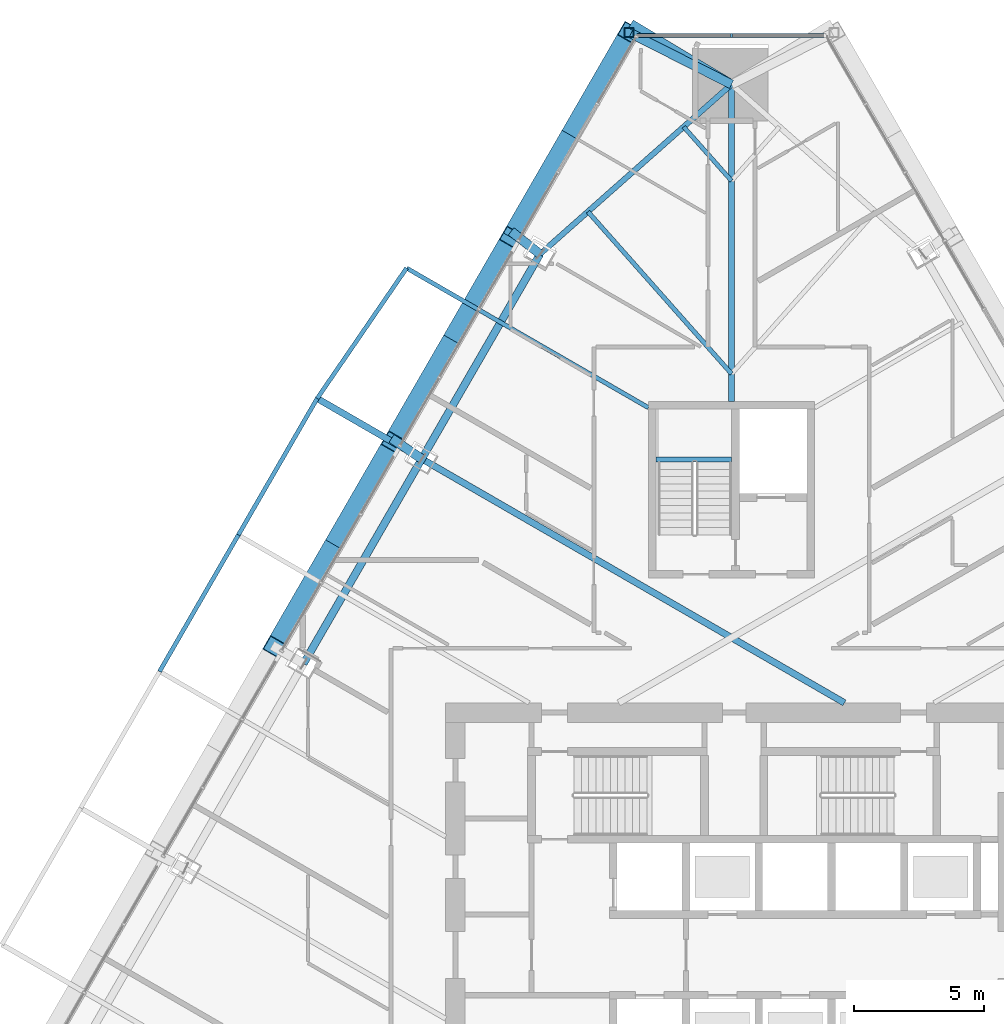
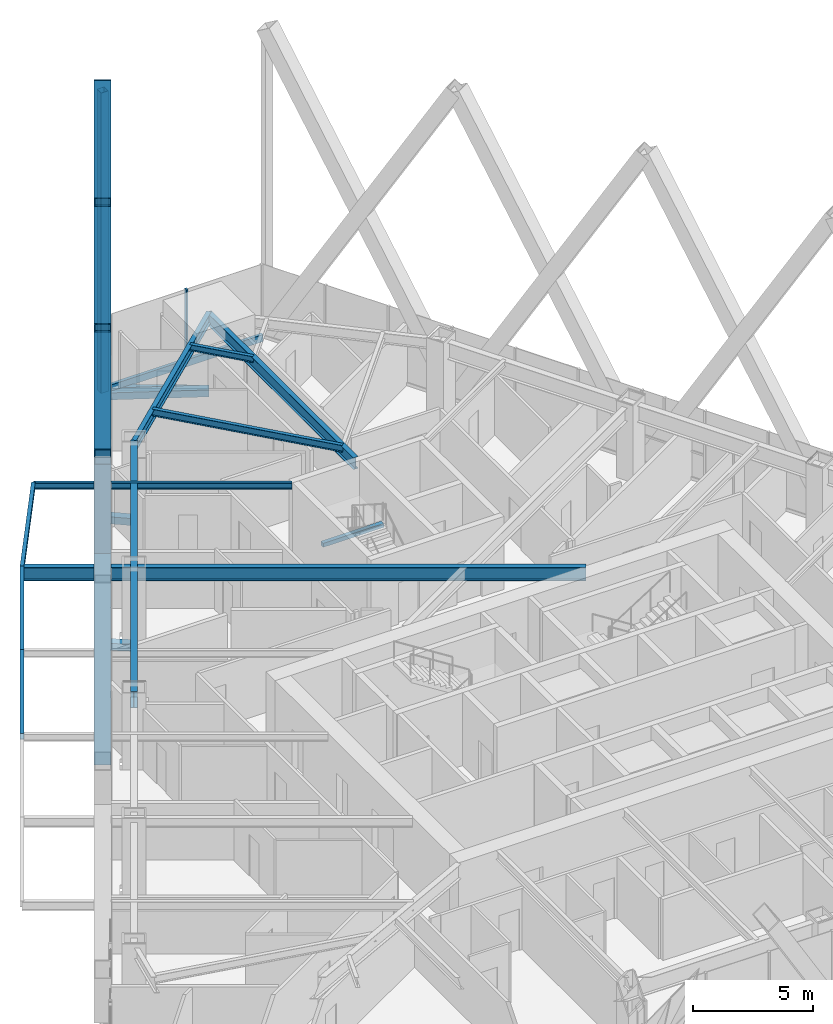
# One storey, part 11 of 26: 13 members, 11 beams, 1 element without a shape of its own.
"""IFC4 building model written with IfcOpenShell, lengths in metres."""

from ifc_helpers import new_model, si_unit, direction, frame, origin, origin_2d, place, context, subcontext, project, spatial, rectangle, hollow_rectangle, i_section, extrude, material, layer, layer_set, material_profile, profile_set, type_object, element, aggregate, save


model = new_model("IFC4")

# Units and contexts
model_context = context("Model", 3, precision=1e-05, world=origin(), true_north=direction((0.0, 1.0)))
body_context = subcontext(model_context, "Body", "Model", "MODEL_VIEW")
ifc_project = project(units=[si_unit("LENGTHUNIT", "METRE"), si_unit("AREAUNIT", "SQUARE_METRE"), si_unit("VOLUMEUNIT", "CUBIC_METRE"), si_unit("PLANEANGLEUNIT", "RADIAN"), si_unit("MASSUNIT", "GRAM", prefix="KILO")], contexts=[model_context])

# Site, building, storey
site_placement = place(None, origin())
site = spatial("IfcSite", under=ifc_project, at=site_placement, CompositionType="ELEMENT")
building_placement = place(site_placement, origin())
building = spatial("IfcBuilding", under=site, at=building_placement, Name="Firuza Gate Tower and Library", CompositionType="ELEMENT")
storey_placement = place(building_placement, frame((0.0, 0.0, 155.800048828125)))
storey = spatial("IfcBuildingStorey", under=building, at=storey_placement, Name="L35", CompositionType="ELEMENT", Elevation=155.800048828125)

# Members
ifc_material_1 = material(Name="Steel S355", Category="steel")
ifc_material_profile_1 = material_profile(ifc_material_1, hollow_rectangle(XDim=0.699951171875, YDim=0.699951171875, WallThickness=0.030029296875, at=origin_2d()))
ifc_profile_set_1 = profile_set([ifc_material_profile_1], Name="Steel S355")
member_type_1 = type_object("IfcMemberType", Name="BU700x700x30 Lattice brace", PredefinedType="BRACE", material=ifc_profile_set_1)
for number, where, z_axis, x_axis, name in (
    (1, (71.0537109375, 108.8017578125, 0.0), (-0.251939638216, -0.436369132457, 0.863775664704), (0.866023855101, -0.500002682389, 0.0), "Lattice brace W 8.1R"),
    (2, (66.503662109375, 100.9208984375, 0.0), (0.251939638216, 0.436369132457, 0.863775664704), (-0.866023855101, 0.500002682389, 0.0), "Lattice brace W 8.1L"),
    (3, (66.503662109375, 100.9208984375, 0.0), (-0.251939638216, -0.436369132457, 0.863775664704), (0.866023855101, -0.500002682389, 0.0), "Lattice brace W 8.2R"),
    (4, (61.95361328125, 93.0400390625, 0.0), (0.251939638216, 0.436369132457, 0.863775664704), (-0.866023855101, 0.500002682389, 0.0), "Lattice brace W 8.2L"),
    (5, (61.95361328125, 93.0400390625, 0.0), (-0.251939638216, -0.436369132457, 0.863775664704), (0.866023855101, -0.500002682389, 0.0), "Lattice brace W 8.3R"),
    (6, (57.403564453125, 85.1591796875, 0.0), (0.251939638216, 0.436369132457, 0.863775664704), (-0.866023855101, 0.500002682389, 0.0), "Lattice brace W 8.3L"),
):
    element("IfcMember", number, at=place(storey_placement, frame(where, z_axis=z_axis, x_axis=x_axis)), inside=storey, type_object=member_type_1, Name=name, PredefinedType="BRACE", context=body_context, shape_type="SweptSolid", body=[
        extrude(hollow_rectangle(XDim=0.699951171875, YDim=0.699951171875, WallThickness=0.030029296875, at=origin_2d()), origin(), (0.0, 0.0, 1.0), 18.06005859375),
    ])

# Curtain wall, members
ifc_material_2 = material(Name="Aluminium 6063-T6", Category="aluminium")
ifc_layer = layer(ifc_material_2, 0.14990234375)
ifc_layer_set = layer_set([ifc_layer], Name="Corner curtain wall, chamfers")
curtain_wall_type = type_object("IfcCurtainWallType", Name="Corner curtain wall, chamfers", PredefinedType="NOTDEFINED", material=ifc_layer_set)
curtain_wall_placement = place(storey_placement, origin())
curtain_wall = element("IfcCurtainWall", 7, at=curtain_wall_placement, inside=storey, type_object=curtain_wall_type, Name="CW4 L35 N corner", PredefinedType="NOTDEFINED")
ifc_material_3 = material(Name="Aluminium 6063-T6", Category="aluminium")
ifc_material_profile_2 = material_profile(ifc_material_3, rectangle(XDim=0.14990234375, YDim=0.080078125, at=origin_2d()))
ifc_profile_set_2 = profile_set([ifc_material_profile_2], Name="Aluminium 6063-T6")
member_type_2 = type_object("IfcMemberType", Name="Curtain wall mullion 80x150", PredefinedType="MULLION", material=ifc_profile_set_2)
member_1_placement = place(storey_placement, frame((75.0, 108.6767578125, 0.14990234375), z_axis=(0.0, 0.0, 1.0), x_axis=(0.0, -1.0, 0.0)))
member_1 = element("IfcMember", 8, at=member_1_placement, type_object=member_type_2, Name="Mullion", PredefinedType="MULLION", context=body_context, shape_type="SweptSolid", body=[
    extrude(rectangle(XDim=0.14990234375, YDim=0.080078125, at=origin_2d()), origin(), (0.0, 0.0, 1.0), 3.550048828125),
])
ifc_material_4 = material(Name="Aluminium 6063-T6", Category="aluminium")
ifc_material_profile_3 = material_profile(ifc_material_4, rectangle(XDim=0.14990234375, YDim=0.35009765625, at=origin_2d()))
ifc_profile_set_3 = profile_set([ifc_material_profile_3], Name="Aluminium 6063-T6")
member_type_3 = type_object("IfcMemberType", Name="Curtain wall transom 350x150", PredefinedType="USERDEFINED", material=ifc_profile_set_3)
member_2_placement = place(storey_placement, frame((78.643310546875, 108.6767578125, -0.025146484375), z_axis=(-1.0, 0.0, 0.0), x_axis=(0.0, -1.0, 0.0)))
member_2 = element("IfcMember", 9, at=member_2_placement, type_object=member_type_3, Name="Transom", ObjectType="TRANSOM", PredefinedType="USERDEFINED", context=body_context, shape_type="SweptSolid", body=[
    extrude(rectangle(XDim=0.14990234375, YDim=0.35009765625, at=origin_2d()), origin(), (0.0, 0.0, 1.0), 7.28662109375),
])
aggregate(curtain_wall, [member_1, member_2])

# Members
ifc_material_5 = material(Name="Steel S355", Category="steel")
ifc_material_profile_4 = material_profile(ifc_material_5, hollow_rectangle(XDim=0.355712890625, YDim=0.355712890625, WallThickness=0.014892578125, at=origin_2d()))
ifc_profile_set_4 = profile_set([ifc_material_profile_4], Name="Steel S355")
member_type_4 = type_object("IfcMemberType", Name="HSS356x356x16 Lattice corner stile", PredefinedType="BRACE", material=ifc_profile_set_4)
member_3_placement = place(storey_placement, frame((71.0537109375, 108.8017578125, -0.14013671875), z_axis=(0.0, 0.0, 1.0), x_axis=(1.0, 0.0, 0.0)))
element("IfcMember", 10, at=member_3_placement, inside=storey, type_object=member_type_4, Name="Lattice corner stile W 8.A", PredefinedType="BRACE", context=body_context, shape_type="SweptSolid", body=[
    extrude(hollow_rectangle(XDim=0.355712890625, YDim=0.355712890625, WallThickness=0.014892578125, at=origin_2d()), origin(), (0.0, 0.0, 1.0), 15.239990234375),
])
ifc_material_6 = material(Name="Steel S355", Category="steel")
ifc_material_profile_5 = material_profile(ifc_material_6, hollow_rectangle(XDim=0.355712890625, YDim=0.355712890625, WallThickness=0.014892578125, at=origin_2d()))
ifc_profile_set_5 = profile_set([ifc_material_profile_5], Name="Steel S355")
member_type_5 = type_object("IfcMemberType", Name="HSS356x356x16 Lattice node tie", PredefinedType="BRACE", material=ifc_profile_set_5)
member_4_placement = place(storey_placement, frame((63.079345703125, 92.39013671875, -0.340087890625), z_axis=(-0.827960374551, 0.560786606628, 0.0), x_axis=(-0.560786606628, -0.827960374551, 0.0)))
element("IfcMember", 11, at=member_4_placement, inside=storey, type_object=member_type_5, Name="Lattice node tie W L35 171", PredefinedType="BRACE", context=body_context, shape_type="SweptSolid", body=[
    extrude(hollow_rectangle(XDim=0.355712890625, YDim=0.355712890625, WallThickness=0.014892578125, at=origin_2d()), origin(), (0.0, 0.0, 1.0), 1.403564453125),
])
member_5_placement = place(storey_placement, frame((67.62939453125, 100.27099609375, -0.340087890625), z_axis=(-0.786042867151, 0.61817199144, 0.0), x_axis=(-0.61817199144, -0.786042867151, 0.0)))
element("IfcMember", 12, at=member_5_placement, inside=storey, type_object=member_type_5, Name="Lattice node tie W L35 172", PredefinedType="BRACE", context=body_context, shape_type="SweptSolid", body=[
    extrude(hollow_rectangle(XDim=0.355712890625, YDim=0.355712890625, WallThickness=0.014892578125, at=origin_2d()), origin(), (0.0, 0.0, 1.0), 1.4150390625),
])
member_6_placement = place(storey_placement, frame((75.0, 106.8017578125, -0.340087890625), z_axis=(-0.85731646751, 0.51478973818, 0.0), x_axis=(-0.51478973818, -0.85731646751, 0.0)))
element("IfcMember", 13, at=member_6_placement, inside=storey, type_object=member_type_5, Name="Lattice node tie W L35 173", PredefinedType="BRACE", context=body_context, shape_type="SweptSolid", body=[
    extrude(hollow_rectangle(XDim=0.355712890625, YDim=0.355712890625, WallThickness=0.014892578125, at=origin_2d()), origin(), (0.0, 0.0, 1.0), 4.518310546875),
])
member_7_placement = place(storey_placement, frame((75.0, 106.8017578125, -0.340087890625), z_axis=(-0.891983447411, 0.452068058531, 0.0), x_axis=(-0.452068058531, -0.891983447411, 0.0)))
element("IfcMember", 14, at=member_7_placement, inside=storey, type_object=member_type_5, Name="Lattice node tie W L35 174", PredefinedType="BRACE", context=body_context, shape_type="SweptSolid", body=[
    extrude(hollow_rectangle(XDim=0.355712890625, YDim=0.355712890625, WallThickness=0.014892578125, at=origin_2d()), origin(), (0.0, 0.0, 1.0), 4.33935546875),
])

# Beams
ifc_material_7 = material(Name="Concrete C35/45", Category="concrete")
ifc_material_profile_6 = material_profile(ifc_material_7, rectangle(XDim=0.199951171875, YDim=0.199951171875, at=origin_2d()))
ifc_profile_set_6 = profile_set([ifc_material_profile_6], Name="Concrete C35/45")
beam_type_1 = type_object("IfcBeamType", Name="Stair landing bearer 200x200", PredefinedType="BEAM", material=ifc_profile_set_6)
beam_1_placement = place(storey_placement, frame((75.0, 92.3701171875, 1.64990234375), z_axis=(-1.0, 0.0, 0.0), x_axis=(0.0, -1.0, 0.0)))
element("IfcBeam", 15, at=beam_1_placement, inside=storey, type_object=beam_type_1, Name="Landing bearer L35 stair 3", PredefinedType="BEAM", context=body_context, shape_type="SweptSolid", body=[
    extrude(rectangle(XDim=0.199951171875, YDim=0.199951171875, at=origin_2d()), origin(), (0.0, 0.0, 1.0), 2.89990234375),
])
ifc_material_8 = material(Name="Steel S355", Category="steel")
ifc_material_profile_7 = material_profile(ifc_material_8, i_section(OverallWidth=0.1650390625, OverallDepth=0.31005859375, WebThickness=0.005859375, FlangeThickness=0.009765625, at=origin_2d()))
ifc_profile_set_7 = profile_set([ifc_material_profile_7], Name="Steel S355")
beam_type_2 = type_object("IfcBeamType", Name="W310x39 Floor beam", PredefinedType="JOIST", material=ifc_profile_set_7)
beam_2_placement = place(storey_placement, frame((73.157470703125, 105.169189453125, 3.544921875), z_axis=(0.663157635911, -0.748479759201, 0.0), x_axis=(0.748479759201, 0.663157635911, 0.0)))
element("IfcBeam", 16, at=beam_2_placement, inside=storey, type_object=beam_type_2, Name="Floor beam L35 s70", PredefinedType="JOIST", context=body_context, shape_type="SweptSolid", body=[
    extrude(i_section(OverallWidth=0.1650390625, OverallDepth=0.31005859375, WebThickness=0.005859375, FlangeThickness=0.009765625, at=origin_2d()), origin(), (0.0, 0.0, 1.0), 2.7783203125),
])
beam_3_placement = place(storey_placement, frame((62.494384765625, 99.73291015625, 3.544921875), z_axis=(0.866038024971, -0.499978138826, 0.0), x_axis=(0.499978138826, 0.866038024971, 0.0)))
element("IfcBeam", 17, at=beam_3_placement, inside=storey, type_object=beam_type_2, Name="Floor beam L35 s80", PredefinedType="JOIST", context=body_context, shape_type="SweptSolid", body=[
    extrude(i_section(OverallWidth=0.1650390625, OverallDepth=0.31005859375, WebThickness=0.005859375, FlangeThickness=0.009765625, at=origin_2d()), origin(), (0.0, 0.0, 1.0), 10.7451171875),
])
beam_4_placement = place(storey_placement, frame((62.494384765625, 99.73291015625, 3.544921875), z_axis=(-0.565651547025, -0.824644364165, 0.0), x_axis=(0.824644364165, -0.565651547025, 0.0)))
element("IfcBeam", 18, at=beam_4_placement, inside=storey, type_object=beam_type_2, Name="Tray edge beam L35 s80-s81", PredefinedType="JOIST", context=body_context, shape_type="SweptSolid", body=[
    extrude(i_section(OverallWidth=0.1650390625, OverallDepth=0.31005859375, WebThickness=0.005859375, FlangeThickness=0.009765625, at=origin_2d()), origin(), (0.0, 0.0, 1.0), 6.084716796875),
])
for number, where, z_axis, x_axis, name in (
    (19, (59.052490234375, 94.715087890625, 3.544921875), (-0.500012742938, -0.866018046521, 0.0), (0.866018046521, -0.500012742938, 0.0), "Tray edge beam L35 s81-s82"),
    (20, (56.01904296875, 89.461181640625, 3.544921875), (-0.499982560684, -0.866035472144, 0.0), (0.866035472144, -0.499982560684, 0.0), "Tray edge beam L35 s82-s83"),
):
    element("IfcBeam", number, at=place(storey_placement, frame(where, z_axis=z_axis, x_axis=x_axis)), inside=storey, type_object=beam_type_2, Name=name, PredefinedType="JOIST", context=body_context, shape_type="SweptSolid", body=[
        extrude(i_section(OverallWidth=0.1650390625, OverallDepth=0.31005859375, WebThickness=0.005859375, FlangeThickness=0.009765625, at=origin_2d()), origin(), (0.0, 0.0, 1.0), 6.066650390625),
    ])
ifc_material_9 = material(Name="Steel S355", Category="steel")
ifc_material_profile_8 = material_profile(ifc_material_9, i_section(OverallWidth=0.1708984375, OverallDepth=0.35498046875, WebThickness=0.007080078125, FlangeThickness=0.01171875, at=origin_2d()))
ifc_profile_set_8 = profile_set([ifc_material_profile_8], Name="Steel S355")
beam_type_3 = type_object("IfcBeamType", Name="W360x51 Floor beam", PredefinedType="JOIST", material=ifc_profile_set_8)
beam_5_placement = place(storey_placement, frame((69.47216796875, 101.903564453125, 3.5224609375), z_axis=(0.663188582837, -0.748452338893, 0.0), x_axis=(0.748452338893, 0.663188582837, 0.0)))
element("IfcBeam", 21, at=beam_5_placement, inside=storey, type_object=beam_type_3, Name="Floor beam L35 s71", PredefinedType="JOIST", context=body_context, shape_type="SweptSolid", body=[
    extrude(i_section(OverallWidth=0.1708984375, OverallDepth=0.35498046875, WebThickness=0.007080078125, FlangeThickness=0.01171875, at=origin_2d()), origin(), (0.0, 0.0, 1.0), 8.335205078125),
])
ifc_material_10 = material(Name="Steel S355", Category="steel")
ifc_material_profile_9 = material_profile(ifc_material_10, i_section(OverallWidth=0.212890625, OverallDepth=0.5390625, WebThickness=0.01171875, FlangeThickness=0.018798828125, at=origin_2d()))
ifc_profile_set_9 = profile_set([ifc_material_profile_9], Name="Steel S355")
beam_type_4 = type_object("IfcBeamType", Name="W530x109 Edge beam", PredefinedType="SPANDREL", material=ifc_profile_set_9)
beam_6_placement = place(storey_placement, frame((75.0, 106.8017578125, 3.430419921875), z_axis=(-0.748461599546, -0.663178131429, 0.0), x_axis=(0.663178131429, -0.748461599546, 0.0)))
element("IfcBeam", 22, at=beam_6_placement, inside=storey, type_object=beam_type_4, Name="Edge beam L35 e70", PredefinedType="SPANDREL", context=body_context, shape_type="SweptSolid", body=[
    extrude(i_section(OverallWidth=0.212890625, OverallDepth=0.5390625, WebThickness=0.01171875, FlangeThickness=0.018798828125, at=origin_2d()), origin(), (0.0, 0.0, 1.0), 9.84765625),
])
ifc_material_11 = material(Name="Steel S355", Category="steel")
ifc_material_profile_10 = material_profile(ifc_material_11, i_section(OverallWidth=0.22802734375, OverallDepth=0.60302734375, WebThickness=0.010498046875, FlangeThickness=0.014892578125, at=origin_2d()))
ifc_profile_set_10 = profile_set([ifc_material_profile_10], Name="Steel S355")
beam_type_5 = type_object("IfcBeamType", Name="W610x101 Girder", PredefinedType="BEAM", material=ifc_profile_set_10)
beam_7_placement = place(storey_placement, frame((75.0, 106.8017578125, 3.3984375), z_axis=(0.0, -1.0, 0.0), x_axis=(1.0, 0.0, 0.0)))
element("IfcBeam", 23, at=beam_7_placement, inside=storey, type_object=beam_type_5, Name="Girder L35 gN", PredefinedType="BEAM", context=body_context, shape_type="SweptSolid", body=[
    extrude(i_section(OverallWidth=0.22802734375, OverallDepth=0.60302734375, WebThickness=0.010498046875, FlangeThickness=0.014892578125, at=origin_2d()), origin(), (0.0, 0.0, 1.0), 12.20166015625),
])
ifc_material_12 = material(Name="Steel S355", Category="steel")
ifc_material_profile_11 = material_profile(ifc_material_12, i_section(OverallWidth=0.2529296875, OverallDepth=0.677978515625, WebThickness=0.01171875, FlangeThickness=0.016357421875, at=origin_2d()))
ifc_profile_set_11 = profile_set([ifc_material_profile_11], Name="Steel S355")
beam_type_6 = type_object("IfcBeamType", Name="W690x125 Floor beam", PredefinedType="JOIST", material=ifc_profile_set_11)
beam_8_placement = place(storey_placement, frame((59.052490234375, 94.715087890625, 3.36083984375), z_axis=(0.866024210693, -0.50000206649, 0.0), x_axis=(0.50000206649, 0.866024210693, 0.0)))
element("IfcBeam", 24, at=beam_8_placement, inside=storey, type_object=beam_type_6, Name="Floor beam L35 s81", PredefinedType="JOIST", context=body_context, shape_type="SweptSolid", body=[
    extrude(i_section(OverallWidth=0.2529296875, OverallDepth=0.677978515625, WebThickness=0.01171875, FlangeThickness=0.016357421875, at=origin_2d()), origin(), (0.0, 0.0, 1.0), 23.43017578125),
])
ifc_material_13 = material(Name="Steel S355", Category="steel")
ifc_material_profile_12 = material_profile(ifc_material_13, i_section(OverallWidth=0.2919921875, OverallDepth=0.8349609375, WebThickness=0.013916015625, FlangeThickness=0.018798828125, at=origin_2d()))
ifc_profile_set_12 = profile_set([ifc_material_profile_12], Name="Steel S355")
beam_type_7 = type_object("IfcBeamType", Name="W840x176 Edge beam", PredefinedType="SPANDREL", material=ifc_profile_set_12)
beam_9_placement = place(storey_placement, frame((67.62939453125, 100.27099609375, 3.282470703125), z_axis=(-0.499992621638, -0.866029663642, 0.0), x_axis=(0.866029663642, -0.499992621638, 0.0)))
element("IfcBeam", 25, at=beam_9_placement, inside=storey, type_object=beam_type_7, Name="Edge beam L35 e80", PredefinedType="SPANDREL", context=body_context, shape_type="SweptSolid", body=[
    extrude(i_section(OverallWidth=0.2919921875, OverallDepth=0.8349609375, WebThickness=0.013916015625, FlangeThickness=0.018798828125, at=origin_2d()), origin(), (0.0, 0.0, 1.0), 18.199951171875),
])

save(model, "model.ifc")
